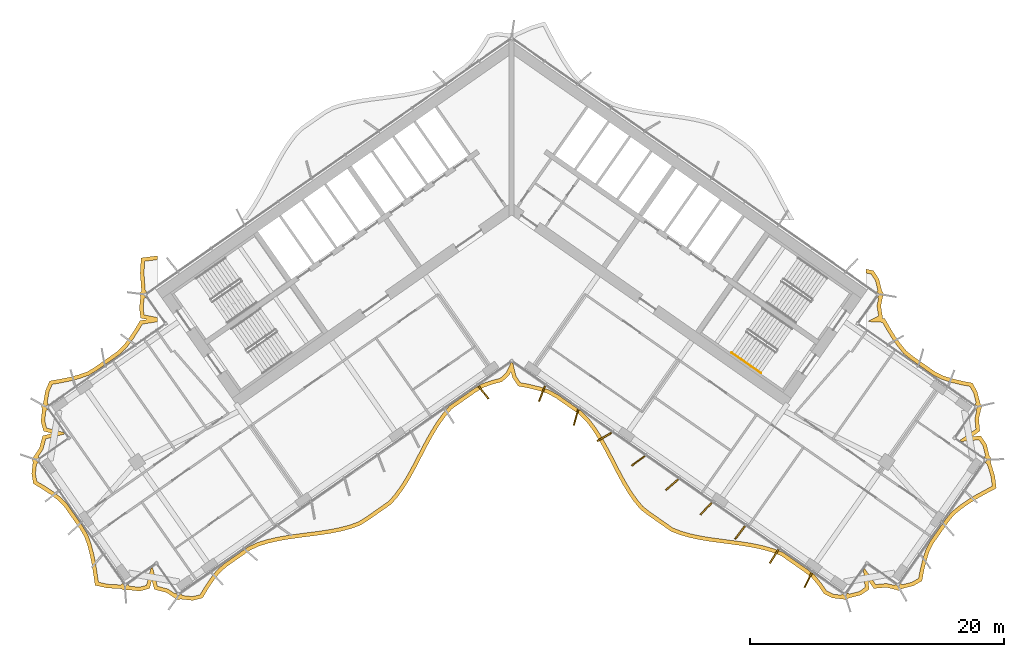
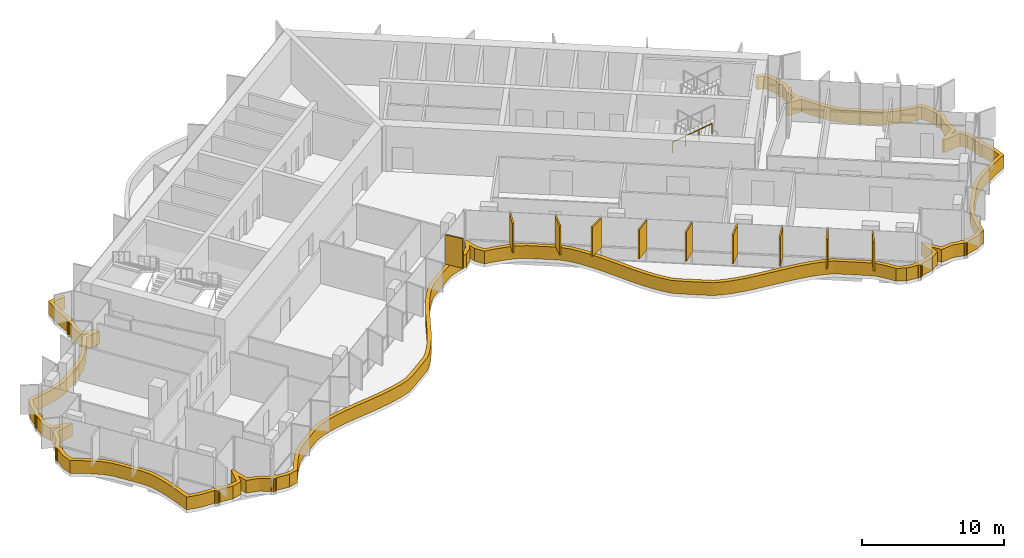
# One storey, part 21 of 23: 11 shading devices, 1 railing.
"""IFC4 building model written with IfcOpenShell, lengths in metres."""

from ifc_helpers import new_model, si_unit, direction, frame, origin, origin_2d, place, context, subcontext, project, spatial, polyline, rectangle, circle, outline, extrude, material, layer, layer_set, type_object, element, save


model = new_model("IFC4")

# Units and contexts
model_context = context("Model", 3, precision=1e-05, world=origin(), true_north=direction((0.0, 1.0)))
body_context = subcontext(model_context, "Body", "Model", "MODEL_VIEW")
ifc_project = project(units=[si_unit("LENGTHUNIT", "METRE"), si_unit("AREAUNIT", "SQUARE_METRE"), si_unit("VOLUMEUNIT", "CUBIC_METRE"), si_unit("PLANEANGLEUNIT", "RADIAN"), si_unit("MASSUNIT", "GRAM", prefix="KILO")], contexts=[model_context])

# Site, building, storey
site_placement = place(None, origin())
site = spatial("IfcSite", under=ifc_project, at=site_placement, CompositionType="ELEMENT")
building_placement = place(site_placement, origin())
building = spatial("IfcBuilding", under=site, at=building_placement, Name="Tel Ilan Convention Tower", CompositionType="ELEMENT")
storey_placement = place(building_placement, frame((0.0, 0.0, 178.800048828125)))
storey = spatial("IfcBuildingStorey", under=building, at=storey_placement, Name="L41", CompositionType="ELEMENT", Elevation=178.800048828125)

# Shading devices
ifc_material_1 = material(Name="Aluminium, bronze anodised", Category="aluminium")
ifc_layer_1 = layer(ifc_material_1, 0.1201171875)
ifc_layer_set_1 = layer_set([ifc_layer_1], Name="FIN BRONZE 1300x120")
shading_device_type_1 = type_object("IfcShadingDeviceType", Name="FIN BRONZE 1300x120", PredefinedType="USERDEFINED", material=ifc_layer_set_1)
for number, where, z_axis, x_axis, name in (
    (1, (-2.2255859375, -15.172119140625, 1.099853515625), (0.0, 0.0, 1.0), (0.612600545196, -0.790392669516, 0.0), "FIN"),
    (2, (2.383056640625, -15.274169921875, 1.099853515625), (0.0, 0.0, 1.0), (-0.360177724803, -0.932883704733, 0.0), "FIN"),
    (3, (5.06494140625, -17.13671875, 1.099853515625), (0.0, 0.0, 1.0), (-0.268172612768, -0.963370878614, 0.0), "FIN"),
    (4, (7.29833984375, -18.677978515625, 1.099853515625), (0.0, 0.0, 1.0), (-0.866025403784, -0.5, 0.0), "FIN"),
    (5, (9.9609375, -20.564697265625, 1.099853515625), (0.0, 0.0, 1.0), (-0.813552070258, -0.581492071294, 0.0), "FIN"),
    (6, (12.62841796875, -22.44775390625, 1.099853515625), (0.0, 0.0, 1.0), (-0.753435896329, -0.657521368568, 0.0), "FIN"),
    (7, (15.300537109375, -24.32666015625, 1.099853515625), (0.0, 0.0, 1.0), (-0.686241637865, -0.727373641577, 0.0), "FIN"),
    (8, (17.976806640625, -26.201171875, 1.099853515625), (0.0, 0.0, 1.0), (-0.612600545196, -0.790392669516, 0.0), "FIN"),
    (9, (20.653564453125, -28.075439453125, 1.099853515625), (0.0, 0.0, 1.0), (-0.533204432798, -0.845986425922, 0.0), "FIN"),
    (10, (23.330322265625, -29.949462890625, 1.099853515625), (0.0, 0.0, 1.0), (-0.448799180206, -0.893632640321, 0.0), "FIN"),
):
    element("IfcShadingDevice", number, at=place(storey_placement, frame(where, z_axis=z_axis, x_axis=x_axis)), inside=storey, type_object=shading_device_type_1, Name=name, ObjectType="FIN", PredefinedType="USERDEFINED", context=body_context, shape_type="SweptSolid", body=[
        extrude(rectangle(XDim=1.300048828125, YDim=0.1201171875, at=origin_2d()), origin(), (0.0, 0.0, 1.0), 2.52001953125),
    ])
ifc_material_2 = material(Name="Aluminium, bronze anodised", Category="aluminium")
ifc_layer_2 = layer(ifc_material_2, 0.300048828125)
ifc_layer_set_2 = layer_set([ifc_layer_2], Name="LOUVRE BAND 300x1100")
shading_device_type_2 = type_object("IfcShadingDeviceType", Name="LOUVRE BAND 300x1100", PredefinedType="USERDEFINED", material=ifc_layer_set_2)
shading_device_placement = place(storey_placement, origin())
element("IfcShadingDevice", 11, at=shading_device_placement, inside=storey, type_object=shading_device_type_2, Name="LOUVRE BAND 31.01", ObjectType="LOUVRE", PredefinedType="USERDEFINED", context=body_context, shape_type="SweptSolid", body=[
    extrude(outline(polyline([(-37.76904296875, -21.58447265625), (-37.634765625, -22.36669921875), (-36.95703125, -22.768310546875), (-36.311767578125, -23.192626953125), (-35.712890625, -23.649169921875), (-35.203857421875, -24.1689453125), (-33.968994140625, -25.932373046875), (-33.60498046875, -26.5537109375), (-33.363525390625, -27.2607421875), (-33.17138671875, -28.002197265625), (-33.01904296875, -28.771728515625), (-32.89599609375, -29.5615234375), (-32.782958984375, -30.358642578125), (-31.836181640625, -30.571533203125), (-30.67138671875, -30.632080078125), (-30.642333984375, -30.67529296875), (-30.544921875, -30.740478515625), (-30.43017578125, -30.76318359375), (-30.3154296875, -30.740478515625), (-30.261474609375, -30.704345703125), (-29.26904296875, -30.81396484375), (-28.4951171875, -30.611572265625), (-28.31640625, -29.930908203125), (-28.12109375, -30.677734375), (-27.170166015625, -30.92724609375), (-26.497802734375, -31.3720703125), (-26.4931640625, -31.368896484375), (-26.464111328125, -31.412109375), (-26.366943359375, -31.47705078125), (-26.251953125, -31.5), (-26.13720703125, -31.47705078125), (-26.083251953125, -31.441162109375), (-25.097412109375, -31.54931640625), (-24.322021484375, -31.357421875), (-23.90576171875, -30.652587890625), (-23.4609375, -29.988525390625), (-22.980224609375, -29.375732421875), (-22.4169921875, -28.880859375), (-20.58544921875, -27.598388671875), (-19.900146484375, -27.277587890625), (-19.150634765625, -27.048583984375), (-18.36669921875, -26.86865234375), (-17.556396484375, -26.726806640625), (-16.728515625, -26.609619140625), (-15.0595703125, -26.39404296875), (-14.239013671875, -26.266845703125), (-13.4404296875, -26.10791015625), (-12.672119140625, -25.90576171875), (-11.941650390625, -25.649658203125), (-11.30908203125, -25.253662109375), (-9.4775390625, -23.97119140625), (-8.9716796875, -23.39404296875), (-8.509033203125, -22.75537109375), (-8.0791015625, -22.0703125), (-7.673583984375, -21.35009765625), (-6.508056640625, -19.1162109375), (-6.103271484375, -18.39501953125), (-5.67431640625, -17.708251953125), (-5.213134765625, -17.067626953125), (-4.7119140625, -16.483642578125), (-2.88037109375, -15.201416015625), (-2.25146484375, -14.800048828125), (-1.5224609375, -14.5419921875), (-0.755615234375, -14.337890625), (-0.200439453125, -13.831298828125), (-0.055419921875, -13.532470703125), (0.06640625, -14.0224609375), (0.51220703125, -14.685546875), (1.31689453125, -14.835693359375), (2.093017578125, -15.0263671875), (2.833251953125, -15.268798828125), (3.490966796875, -15.62890625), (5.322509765625, -16.9111328125), (5.858154296875, -17.445556640625), (6.329833984375, -18.071533203125), (6.76708984375, -18.74658203125), (7.177734375, -19.45947265625), (7.57080078125, -20.197509765625), (8.343994140625, -21.69189453125), (8.744384765625, -22.41943359375), (9.166748046875, -23.11572265625), (9.61962890625, -23.768310546875), (10.110107421875, -24.3671875), (10.698486328125, -24.826171875), (12.530029296875, -26.108642578125), (13.245361328125, -26.386474609375), (14.003662109375, -26.602783203125), (14.794677734375, -26.7724609375), (15.610107421875, -26.9072265625), (18.10791015625, -27.238525390625), (18.924072265625, -27.3720703125), (19.716064453125, -27.54052734375), (20.475830078125, -27.7548828125), (21.19580078125, -28.02587890625), (23.02734375, -29.308349609375), (23.619384765625, -29.76220703125), (24.111328125, -30.35888671875), (24.565673828125, -31.009765625), (25.2314453125, -31.358154296875), (26.083251953125, -31.441162109375), (26.13720703125, -31.47705078125), (26.251953125, -31.5), (26.366943359375, -31.47705078125), (26.464111328125, -31.412109375), (26.4931640625, -31.368896484375), (27.463134765625, -31.132568359375), (28.12109375, -30.677734375), (28.056396484375, -29.976806640625), (28.4951171875, -30.611572265625), (29.47412109375, -30.52099609375), (30.258056640625, -30.708984375), (30.261474609375, -30.704345703125), (30.3154296875, -30.740478515625), (30.43017578125, -30.76318359375), (30.544921875, -30.740478515625), (30.642333984375, -30.67529296875), (30.67138671875, -30.632080078125), (31.5947265625, -30.402587890625), (32.283447265625, -30.0087890625), (32.42919921875, -29.234619140625), (32.607177734375, -28.483154296875), (32.83154296875, -27.764404296875), (33.145751953125, -27.108154296875), (34.380615234375, -25.344482421875), (34.83984375, -24.7900390625), (35.421630859375, -24.3212890625), (36.052734375, -23.88720703125), (36.7236328125, -23.48095703125), (37.423828125, -23.09521484375), (38.134033203125, -22.71630859375), (38.010498046875, -21.753662109375), (37.6689453125, -20.638427734375), (37.705078125, -20.58447265625), (37.727783203125, -20.4697265625), (37.705078125, -20.354736328125), (37.639892578125, -20.257568359375), (37.5966796875, -20.228515625), (37.3603515625, -19.258544921875), (36.905517578125, -18.6005859375), (36.20458984375, -18.665283203125), (36.839599609375, -18.2265625), (36.748779296875, -17.24755859375), (36.936767578125, -16.463623046875), (36.93212890625, -16.460205078125), (36.96826171875, -16.40625), (36.9912109375, -16.29150390625), (36.96826171875, -16.1767578125), (36.9033203125, -16.079345703125), (36.85986328125, -16.05029296875), (36.63134765625, -15.134521484375), (36.246826171875, -14.44140625), (35.47900390625, -14.2958984375), (34.732177734375, -14.1201171875), (34.017333984375, -13.899169921875), (33.361328125, -13.59375), (31.6103515625, -12.36767578125), (31.052978515625, -11.921630859375), (30.5849609375, -11.347900390625), (30.151123046875, -10.72509765625), (29.74560546875, -10.06201171875), (29.356201171875, -9.3759765625), (29.132080078125, -9.36474609375), (29.19384765625, -9.332763671875), (29.044921875, -8.373779296875), (29.20458984375, -7.631103515625), (29.199951171875, -7.6279296875), (29.236083984375, -7.57373046875), (29.2587890625, -7.458984375), (29.236083984375, -7.34423828125), (29.1708984375, -7.246826171875), (29.127685546875, -7.218017578125), (28.894287109375, -6.267333984375), (28.465576171875, -5.595458984375), (27.874755859375, -5.485595703125), (27.874755859375, -5.790771484375), (28.28271484375, -5.86669921875), (28.614990234375, -6.387451171875), (28.806640625, -7.1533203125), (28.713134765625, -7.286865234375), (28.958740234375, -7.458984375), (28.787353515625, -7.705322265625), (28.869384765625, -7.7626953125), (28.73974609375, -8.364990234375), (28.8642578125, -9.165283203125), (28.0048828125, -9.60888671875), (29.1767578125, -9.66748046875), (29.4873046875, -10.21435546875), (29.89990234375, -10.88916015625), (30.34521484375, -11.528564453125), (30.840576171875, -12.135986328125), (31.430419921875, -12.60791015625), (33.2109375, -13.8544921875), (33.9091796875, -14.1796875), (34.653564453125, -14.409912109375), (35.416748046875, -14.58935546875), (36.052734375, -14.7099609375), (36.35009765625, -15.24609375), (36.53857421875, -15.986328125), (36.4453125, -16.119384765625), (36.691162109375, -16.29150390625), (36.519775390625, -16.53759765625), (36.597412109375, -16.592041015625), (36.445556640625, -17.225830078125), (36.524658203125, -18.07958984375), (35.261474609375, -18.95263671875), (35.38916015625, -19.042236328125), (36.758544921875, -18.915283203125), (37.082275390625, -19.384033203125), (37.27587890625, -20.16357421875), (37.18212890625, -20.297607421875), (37.427734375, -20.4697265625), (37.25634765625, -20.7158203125), (37.41650390625, -20.827880859375), (37.716064453125, -21.816650390625), (37.810302734375, -22.549072265625), (36.573486328125, -23.22119140625), (35.889892578125, -23.635009765625), (35.2421875, -24.08056640625), (34.6279296875, -24.575439453125), (34.141845703125, -25.16259765625), (32.8857421875, -26.956298828125), (32.551513671875, -27.654296875), (32.317626953125, -28.40380859375), (32.1357421875, -29.17236328125), (32.014404296875, -29.817138671875), (31.481201171875, -30.121826171875), (30.7353515625, -30.310791015625), (30.602294921875, -30.217529296875), (30.43017578125, -30.46337890625), (30.18408203125, -30.291748046875), (30.129638671875, -30.36962890625), (29.495849609375, -30.2177734375), (28.64208984375, -30.296875), (27.76904296875, -29.03369140625), (27.679443359375, -29.161376953125), (27.806396484375, -30.530517578125), (27.337646484375, -30.8544921875), (26.55810546875, -31.048095703125), (26.424072265625, -30.954345703125), (26.251953125, -31.199951171875), (26.005859375, -31.028564453125), (25.935302734375, -31.129150390625), (25.319580078125, -31.065673828125), (24.76953125, -30.77783203125), (24.3505859375, -30.177490234375), (23.8291015625, -29.544921875), (23.204833984375, -29.06640625), (21.3369140625, -27.758544921875), (20.569580078125, -27.469482421875), (19.7880859375, -27.2490234375), (18.9794921875, -27.077392578125), (18.15234375, -26.941650390625), (15.65478515625, -26.610595703125), (14.8505859375, -26.477783203125), (14.076416015625, -26.3115234375), (13.341064453125, -26.101806640625), (12.67236328125, -25.842041015625), (10.876953125, -24.5849609375), (10.321044921875, -24.1513671875), (9.859375, -23.58740234375), (9.41845703125, -22.9521484375), (9.004150390625, -22.269287109375), (8.608642578125, -21.55029296875), (7.83642578125, -20.058349609375), (7.440185546875, -19.31396484375), (7.02294921875, -18.590087890625), (6.575927734375, -17.8994140625), (6.085205078125, -17.248046875), (5.515869140625, -16.680419921875), (3.649658203125, -15.37353515625), (2.953125, -14.9921875), (2.17578125, -14.73779296875), (1.380126953125, -14.542236328125), (0.69091796875, -14.41357421875), (0.344970703125, -13.89892578125), (0.092041015625, -12.882568359375), (0.0, -12.818115234375), (-0.063720703125, -12.86279296875), (-0.445068359375, -13.6484375), (-0.903564453125, -14.06689453125), (-1.611328125, -14.255126953125), (-2.384033203125, -14.52880859375), (-3.04736328125, -14.951904296875), (-4.9150390625, -16.259765625), (-5.448974609375, -16.882080078125), (-5.923583984375, -17.541015625), (-6.361572265625, -18.241943359375), (-6.771728515625, -18.972900390625), (-7.93701171875, -21.20654296875), (-8.3369140625, -21.916748046875), (-8.7578125, -22.587646484375), (-9.20654296875, -23.206787109375), (-9.67919921875, -23.746337890625), (-11.474853515625, -25.00341796875), (-12.072509765625, -25.377685546875), (-12.760009765625, -25.61865234375), (-13.5078125, -25.8154296875), (-14.291259765625, -25.97119140625), (-15.102294921875, -26.09716796875), (-16.768310546875, -26.312255859375), (-17.603271484375, -26.430419921875), (-18.42626953125, -26.57470703125), (-19.22802734375, -26.7587890625), (-20.008056640625, -26.9970703125), (-20.736083984375, -27.337646484375), (-22.6025390625, -28.64453125), (-23.198974609375, -29.168701171875), (-23.7041015625, -29.81201171875), (-24.159912109375, -30.49267578125), (-24.516357421875, -31.096435546875), (-25.118408203125, -31.24560546875), (-25.91259765625, -31.161865234375), (-26.005859375, -31.028564453125), (-26.251953125, -31.199951171875), (-26.424072265625, -30.954345703125), (-26.502685546875, -31.00927734375), (-27.0458984375, -30.649658203125), (-27.875244140625, -30.43212890625), (-28.263916015625, -28.9462890625), (-28.3916015625, -29.035888671875), (-28.74072265625, -30.36572265625), (-29.2919921875, -30.510009765625), (-30.0908203125, -30.425048828125), (-30.18408203125, -30.291748046875), (-30.43017578125, -30.46337890625), (-30.602294921875, -30.217529296875), (-30.76318359375, -30.330078125), (-31.794677734375, -30.2734375), (-32.51513671875, -30.111328125), (-32.7236328125, -28.719482421875), (-32.878662109375, -27.935302734375), (-33.075927734375, -27.174560546875), (-33.330810546875, -26.427978515625), (-33.71630859375, -25.770263671875), (-34.97216796875, -23.9765625), (-35.513671875, -23.423828125), (-36.13818359375, -22.947509765625), (-36.798095703125, -22.513671875), (-37.362548828125, -22.17919921875), (-37.46630859375, -21.573974609375), (-37.388916015625, -20.80859375), (-37.25634765625, -20.7158203125), (-37.427734375, -20.4697265625), (-37.18212890625, -20.297607421875), (-37.237060546875, -20.218994140625), (-36.877685546875, -19.675537109375), (-36.659912109375, -18.846435546875), (-35.17431640625, -18.457763671875), (-35.263671875, -18.330078125), (-36.59375, -17.98095703125), (-36.73779296875, -17.4296875), (-36.653076171875, -16.630859375), (-36.519775390625, -16.53759765625), (-36.691162109375, -16.29150390625), (-36.4453125, -16.119384765625), (-36.5458984375, -15.9755859375), (-36.3974609375, -15.14111328125), (-36.1474609375, -14.54833984375), (-35.52734375, -14.443603515625), (-34.751953125, -14.28662109375), (-33.998779296875, -14.0869140625), (-33.2587890625, -13.8291015625), (-32.613525390625, -13.436279296875), (-30.8330078125, -12.189697265625), (-30.288818359375, -11.64453125), (-29.81787109375, -11.02392578125), (-29.38818359375, -10.3681640625), (-29.05712890625, -9.8115234375), (-27.874755859375, -9.6240234375), (-27.874755859375, -9.287353515625), (-28.923828125, -9.080322265625), (-28.992431640625, -8.5439453125), (-28.91943359375, -7.797607421875), (-28.787353515625, -7.705322265625), (-28.958740234375, -7.458984375), (-28.713134765625, -7.286865234375), (-28.83740234375, -7.109375), (-28.93115234375, -5.783447265625), (-28.876953125, -4.86572265625), (-27.874755859375, -4.735107421875), (-27.874755859375, -4.4326171875), (-29.161865234375, -4.60107421875), (-29.231689453125, -5.78515625), (-29.127685546875, -7.218017578125), (-29.1708984375, -7.246826171875), (-29.236083984375, -7.34423828125), (-29.2587890625, -7.458984375), (-29.236083984375, -7.57373046875), (-29.199951171875, -7.6279296875), (-29.29443359375, -8.548583984375), (-29.19384765625, -9.332763671875), (-28.64111328125, -9.44189453125), (-29.2431640625, -9.537353515625), (-29.642578125, -10.209228515625), (-30.06298828125, -10.850830078125), (-30.515380859375, -11.447021484375), (-31.02685546875, -11.958984375), (-32.777587890625, -13.18505859375), (-33.387451171875, -13.55615234375), (-34.086669921875, -13.7998046875), (-34.8203125, -13.994384765625), (-35.58203125, -14.148681640625), (-36.35986328125, -14.280029296875), (-36.686767578125, -15.055419921875), (-36.85986328125, -16.05029296875), (-36.9033203125, -16.079345703125), (-36.96826171875, -16.1767578125), (-36.9912109375, -16.29150390625), (-36.96826171875, -16.40625), (-36.93212890625, -16.460205078125), (-37.0419921875, -17.45263671875), (-36.839599609375, -18.2265625), (-36.15869140625, -18.4052734375), (-36.905517578125, -18.6005859375), (-37.1552734375, -19.551513671875), (-37.599853515625, -20.223876953125), (-37.5966796875, -20.228515625), (-37.639892578125, -20.257568359375), (-37.705078125, -20.354736328125), (-37.727783203125, -20.4697265625), (-37.705078125, -20.58447265625), (-37.6689453125, -20.638427734375), (-37.76904296875, -21.58447265625)])), origin(), (0.0, 0.0, 1.0), 1.099853515625),
])

# Railing
ifc_material_3 = material(Name="Stainless Steel Grade 316", Category="steel")
railing_type = type_object("IfcRailingType", Name="Stainless Steel Stair Handrail 900 mm", PredefinedType="HANDRAIL", material=ifc_material_3)
railing_placement = place(storey_placement, frame((17.312744140625, -12.0615234375, 2.127197265625)))
element("IfcRailing", 12, at=railing_placement, inside=storey, type_object=railing_type, Name="L41 S4 stair handrail 2", PredefinedType="HANDRAIL", context=body_context, shape_type="SweptSolid", body=[
    extrude(circle(Radius=0.02392578125, at=origin_2d()), frame((0.0, 0.0, 0.8759765625), z_axis=(0.692123088272, -0.484596665743, 0.534912798717), x_axis=(0.573550118428, 0.819170471667, 0.0)), (0.0, 0.0, 1.0), 3.31396484375),
    extrude(circle(Radius=0.02099609375, at=origin_2d()), origin(), (0.0, 0.0, 1.0), 0.851806640625),
    extrude(circle(Radius=0.02099609375, at=origin_2d()), frame((0.7646484375, -0.535400390625, 0.5908203125)), (0.0, 0.0, 1.0), 0.851806640625),
    extrude(circle(Radius=0.02099609375, at=origin_2d()), frame((1.529052734375, -1.070556640625, 1.181884765625)), (0.0, 0.0, 1.0), 0.851806640625),
    extrude(circle(Radius=0.02099609375, at=origin_2d()), frame((2.293701171875, -1.60595703125, 1.772705078125)), (0.0, 0.0, 1.0), 0.851806640625),
])

save(model, "model.ifc")
